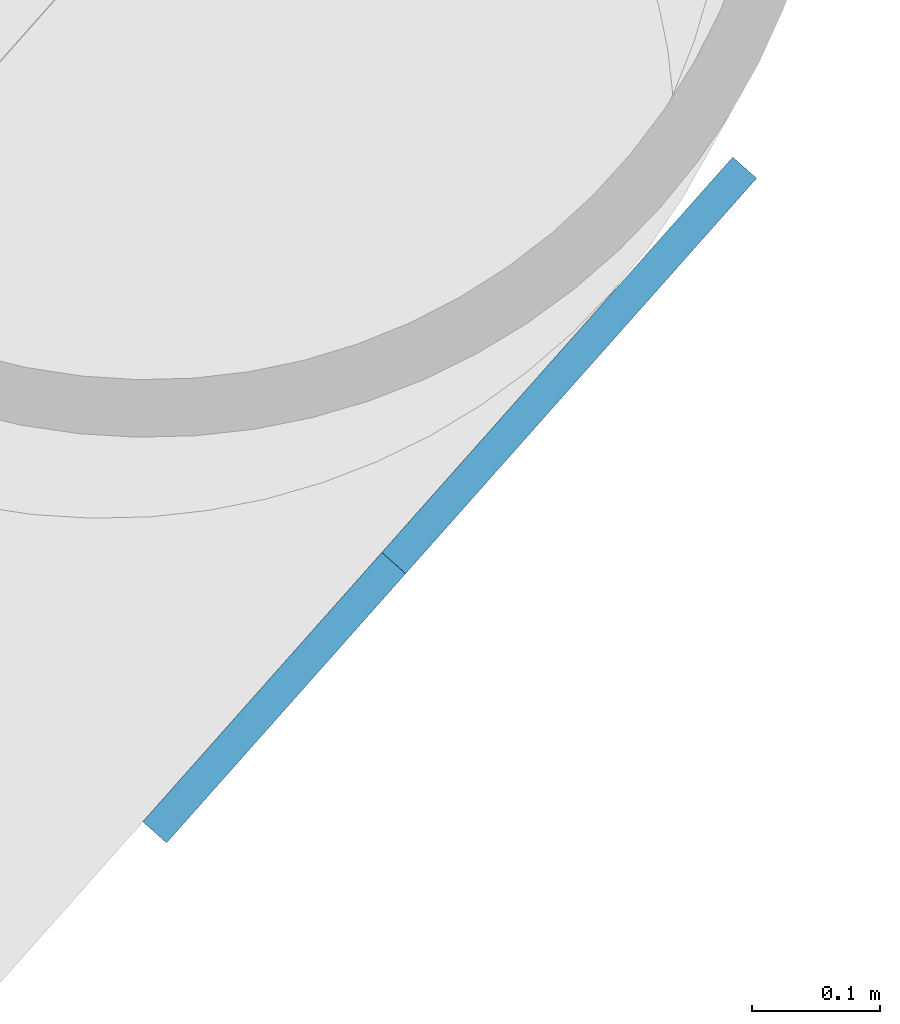
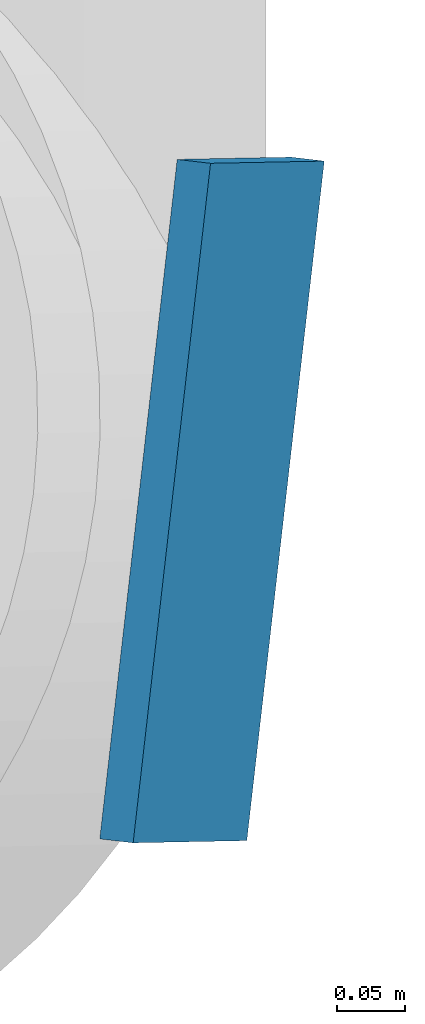
# One storey, part 35 of 55: 1 discrete accessory.
"""IFC4 building model written with IfcOpenShell, lengths in metres."""

from ifc_helpers import new_model, si_unit, direction, frame, origin, origin_2d, place, context, subcontext, project, spatial, rectangle, extrude, material, material_profile, profile_set, type_object, element, save


model = new_model("IFC4")

# Units and contexts
model_context = context("Model", 3, precision=1e-05, world=origin(), true_north=direction((0.0, 1.0)))
body_context = subcontext(model_context, "Body", "Model", "MODEL_VIEW")
ifc_project = project(units=[si_unit("LENGTHUNIT", "METRE"), si_unit("AREAUNIT", "SQUARE_METRE"), si_unit("VOLUMEUNIT", "CUBIC_METRE"), si_unit("PLANEANGLEUNIT", "RADIAN"), si_unit("MASSUNIT", "GRAM", prefix="KILO")], contexts=[model_context])

# Site, building, storey
site_placement = place(None, origin())
site = spatial("IfcSite", under=ifc_project, at=site_placement, CompositionType="ELEMENT")
building_placement = place(site_placement, origin())
building = spatial("IfcBuilding", under=site, at=building_placement, Name="Tarsis Ring Headquarters", CompositionType="ELEMENT")
storey_placement = place(building_placement, frame((0.0, 0.0, 247.199951171875)))
storey = spatial("IfcBuildingStorey", under=building, at=storey_placement, Name="L58", CompositionType="ELEMENT", Elevation=247.199951171875)

# Discrete accessory
ifc_material = material(Name="Structural steel S355", Category="steel")
ifc_material_profile = material_profile(ifc_material, rectangle(XDim=0.02490234375, YDim=0.5, at=origin_2d()), Name="PL 25x500")
ifc_profile_set = profile_set([ifc_material_profile], Name="Structural steel S355")
discrete_accessory_type = type_object("IfcDiscreteAccessoryType", Name="Gusset plate Belt truss 25", PredefinedType="BRACKET", material=ifc_profile_set)
discrete_accessory_placement = place(storey_placement, frame((25.588623046875, -14.845947265625, 0.0), z_axis=(-0.548747211664, -0.618072927016, 0.562905280292), x_axis=(0.747800259769, -0.663923769336, 0.0)))
element("IfcDiscreteAccessory", 1, at=discrete_accessory_placement, inside=storey, type_object=discrete_accessory_type, Name="Gusset plate GP4", PredefinedType="BRACKET", context=body_context, shape_type="SweptSolid", body=[
    extrude(rectangle(XDim=0.02490234375, YDim=0.5, at=origin_2d()), origin(), (0.0, 0.0, 1.0), 0.5),
])

save(model, "model.ifc")
